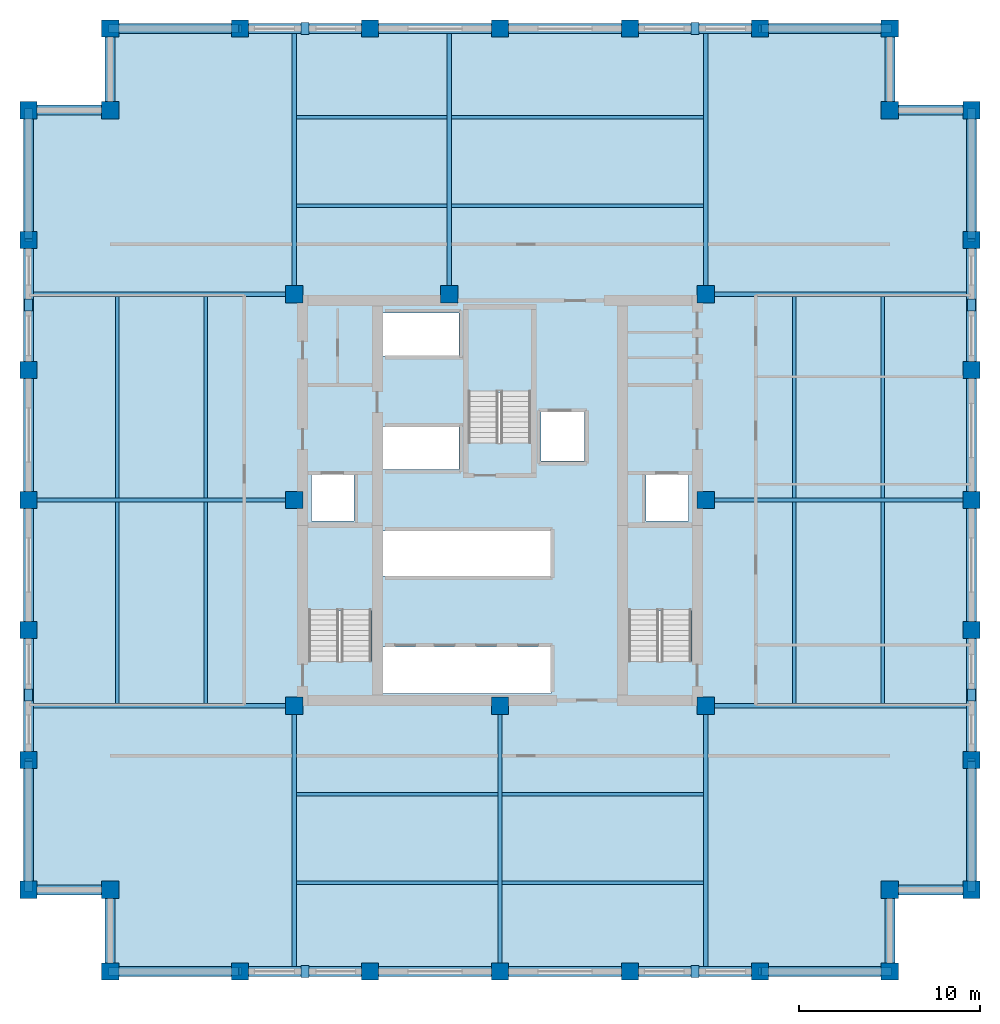
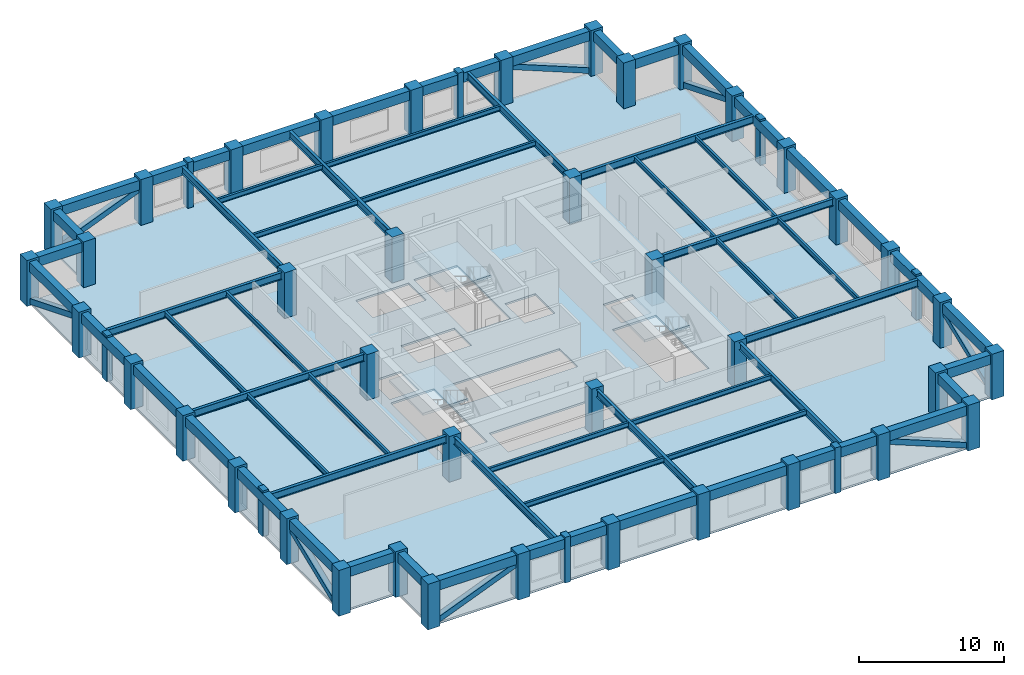
# One storey, part 1 of 6: 60 beams, 40 columns, 16 members, 4 slabs, 3 elements without a shape of their own.
"""IFC4 building model written with IfcOpenShell, lengths in metres."""

from ifc_helpers import new_model, si_unit, direction, frame, origin, origin_2d, place, context, subcontext, project, spatial, polyline, rectangle, hollow_rectangle, i_section, outline, extrude, material, layer, layer_set, material_profile, profile_set, type_object, element, aggregate, save


model = new_model("IFC4")

# Units and contexts
model_context = context("Model", 3, precision=1e-05, world=origin(), true_north=direction((0.0, 1.0)))
body_context = subcontext(model_context, "Body", "Model", "MODEL_VIEW")
ifc_project = project(units=[si_unit("LENGTHUNIT", "METRE"), si_unit("AREAUNIT", "SQUARE_METRE"), si_unit("VOLUMEUNIT", "CUBIC_METRE"), si_unit("PLANEANGLEUNIT", "RADIAN"), si_unit("MASSUNIT", "GRAM", prefix="KILO")], contexts=[model_context])

# Site, building, storey
site_placement = place(None, origin())
site = spatial("IfcSite", under=ifc_project, at=site_placement, CompositionType="ELEMENT")
building_placement = place(site_placement, origin())
building = spatial("IfcBuilding", under=site, at=building_placement, Name="Nhamokura Convention Tower", CompositionType="ELEMENT")
storey_placement = place(building_placement, frame((0.0, 0.0, 152.949951171875)))
storey = spatial("IfcBuildingStorey", under=building, at=storey_placement, Name="L37", CompositionType="ELEMENT", Elevation=152.949951171875)

# Columns
ifc_material_1 = material(Name="Concrete C60/75", Category="concrete")
ifc_material_profile_1 = material_profile(ifc_material_1, rectangle(XDim=0.949951171875, YDim=0.949951171875, at=origin_2d()))
ifc_profile_set_1 = profile_set([ifc_material_profile_1], Name="Concrete C60/75")
column_type = type_object("IfcColumnType", Name="TubeColumn_Z2_950", PredefinedType="COLUMN", material=ifc_profile_set_1)
for number, where, z_axis, x_axis, name in (
    (1, (20.64990234375, 20.64990234375, 0.0), (0.0, 0.0, 1.0), (1.0, 0.0, 0.0), "L37 Core Column CC-SW"),
    (2, (32.0, 20.64990234375, 0.0), (0.0, 0.0, 1.0), (1.0, 0.0, 0.0), "L37 Core Column CC-S"),
    (3, (43.35009765625, 20.64990234375, 0.0), (0.0, 0.0, 1.0), (1.0, 0.0, 0.0), "L37 Core Column CC-SE"),
    (4, (43.35009765625, 32.0, 0.0), (0.0, 0.0, 1.0), (1.0, 0.0, 0.0), "L37 Core Column CC-E"),
    (5, (43.35009765625, 43.35009765625, 0.0), (0.0, 0.0, 1.0), (1.0, 0.0, 0.0), "L37 Core Column CC-NE"),
    (6, (29.199951171875, 43.35009765625, 0.0), (0.0, 0.0, 1.0), (1.0, 0.0, 0.0), "L37 Core Column CC-N"),
    (7, (20.64990234375, 43.35009765625, 0.0), (0.0, 0.0, 1.0), (1.0, 0.0, 0.0), "L37 Core Column CC-NW"),
    (8, (20.64990234375, 32.0, 0.0), (0.0, 0.0, 1.0), (1.0, 0.0, 0.0), "L37 Core Column CC-W"),
    (9, (10.5, 6.0, 0.0), (0.0, 0.0, 1.0), (1.0, 0.0, 0.0), "L37 Perimeter Tube Column SW1"),
    (10, (10.5, 10.5, 0.0), (0.0, 0.0, 1.0), (1.0, 0.0, 0.0), "L37 Perimeter Tube Column SW0"),
    (11, (6.0, 10.5, 0.0), (0.0, 0.0, 1.0), (1.0, 0.0, 0.0), "L37 Perimeter Tube Column SW2"),
    (12, (53.5, 6.0, 0.0), (0.0, 0.0, 1.0), (1.0, 0.0, 0.0), "L37 Perimeter Tube Column SE1"),
    (13, (53.5, 10.5, 0.0), (0.0, 0.0, 1.0), (1.0, 0.0, 0.0), "L37 Perimeter Tube Column SE0"),
    (14, (58.0, 10.5, 0.0), (0.0, 0.0, 1.0), (1.0, 0.0, 0.0), "L37 Perimeter Tube Column SE2"),
    (15, (58.0, 53.5, 0.0), (0.0, 0.0, 1.0), (1.0, 0.0, 0.0), "L37 Perimeter Tube Column NE1"),
    (16, (53.5, 53.5, 0.0), (0.0, 0.0, 1.0), (1.0, 0.0, 0.0), "L37 Perimeter Tube Column NE0"),
    (17, (53.5, 58.0, 0.0), (0.0, 0.0, 1.0), (1.0, 0.0, 0.0), "L37 Perimeter Tube Column NE2"),
    (18, (10.5, 58.0, 0.0), (0.0, 0.0, 1.0), (1.0, 0.0, 0.0), "L37 Perimeter Tube Column NW1"),
    (19, (10.5, 53.5, 0.0), (0.0, 0.0, 1.0), (1.0, 0.0, 0.0), "L37 Perimeter Tube Column NW0"),
    (20, (6.0, 53.5, 0.0), (0.0, 0.0, 1.0), (1.0, 0.0, 0.0), "L37 Perimeter Tube Column NW2"),
    (21, (17.666748046875, 6.0, 0.0), (0.0, 0.0, 1.0), (1.0, 0.0, 0.0), "L37 Perimeter Tube Column S1"),
    (22, (17.666748046875, 58.0, 0.0), (0.0, 0.0, 1.0), (1.0, 0.0, 0.0), "L37 Perimeter Tube Column N1"),
    (23, (6.0, 17.666748046875, 0.0), (0.0, 0.0, 1.0), (1.0, 0.0, 0.0), "L37 Perimeter Tube Column W1"),
    (24, (58.0, 17.666748046875, 0.0), (0.0, 0.0, 1.0), (1.0, 0.0, 0.0), "L37 Perimeter Tube Column E1"),
    (25, (24.833251953125, 6.0, 0.0), (0.0, 0.0, 1.0), (1.0, 0.0, 0.0), "L37 Perimeter Tube Column S2"),
    (26, (24.833251953125, 58.0, 0.0), (0.0, 0.0, 1.0), (1.0, 0.0, 0.0), "L37 Perimeter Tube Column N2"),
    (27, (6.0, 24.833251953125, 0.0), (0.0, 0.0, 1.0), (1.0, 0.0, 0.0), "L37 Perimeter Tube Column W2"),
    (28, (58.0, 24.833251953125, 0.0), (0.0, 0.0, 1.0), (1.0, 0.0, 0.0), "L37 Perimeter Tube Column E2"),
    (29, (32.0, 6.0, 0.0), (0.0, 0.0, 1.0), (1.0, 0.0, 0.0), "L37 Perimeter Tube Column S3"),
    (30, (32.0, 58.0, 0.0), (0.0, 0.0, 1.0), (1.0, 0.0, 0.0), "L37 Perimeter Tube Column N3"),
    (31, (6.0, 32.0, 0.0), (0.0, 0.0, 1.0), (1.0, 0.0, 0.0), "L37 Perimeter Tube Column W3"),
    (32, (58.0, 32.0, 0.0), (0.0, 0.0, 1.0), (1.0, 0.0, 0.0), "L37 Perimeter Tube Column E3"),
    (33, (39.166748046875, 6.0, 0.0), (0.0, 0.0, 1.0), (1.0, 0.0, 0.0), "L37 Perimeter Tube Column S4"),
    (34, (39.166748046875, 58.0, 0.0), (0.0, 0.0, 1.0), (1.0, 0.0, 0.0), "L37 Perimeter Tube Column N4"),
    (35, (6.0, 39.166748046875, 0.0), (0.0, 0.0, 1.0), (1.0, 0.0, 0.0), "L37 Perimeter Tube Column W4"),
    (36, (58.0, 39.166748046875, 0.0), (0.0, 0.0, 1.0), (1.0, 0.0, 0.0), "L37 Perimeter Tube Column E4"),
    (37, (46.333251953125, 6.0, 0.0), (0.0, 0.0, 1.0), (1.0, 0.0, 0.0), "L37 Perimeter Tube Column S5"),
    (38, (46.333251953125, 58.0, 0.0), (0.0, 0.0, 1.0), (1.0, 0.0, 0.0), "L37 Perimeter Tube Column N5"),
    (39, (6.0, 46.333251953125, 0.0), (0.0, 0.0, 1.0), (1.0, 0.0, 0.0), "L37 Perimeter Tube Column W5"),
    (40, (58.0, 46.333251953125, 0.0), (0.0, 0.0, 1.0), (1.0, 0.0, 0.0), "L37 Perimeter Tube Column E5"),
):
    element("IfcColumn", number, at=place(storey_placement, frame(where, z_axis=z_axis, x_axis=x_axis)), inside=storey, type_object=column_type, Name=name, PredefinedType="COLUMN", context=body_context, shape_type="SweptSolid", body=[
        extrude(rectangle(XDim=0.949951171875, YDim=0.949951171875, at=origin_2d()), origin(), (0.0, 0.0, 1.0), 3.85009765625),
    ])

# Members
ifc_material_2 = material(Name="Bronze-pigmented precast concrete C45/55", Category="concrete")
ifc_material_profile_2 = material_profile(ifc_material_2, rectangle(XDim=0.449951171875, YDim=0.64990234375, at=origin_2d()))
ifc_profile_set_2 = profile_set([ifc_material_profile_2], Name="Bronze-pigmented precast concrete C45/55")
member_type_1 = type_object("IfcMemberType", Name="BronzePilaster_650", PredefinedType="USERDEFINED", material=ifc_profile_set_2)
for number, where, z_axis, x_axis, name in (
    (41, (21.25, 6.0, 0.0), (0.0, 0.0, 1.0), (1.0, 0.0, 0.0), "L37 Engaged Frame Pilaster SOUTH 1"),
    (42, (42.75, 6.0, 0.0), (0.0, 0.0, 1.0), (1.0, 0.0, 0.0), "L37 Engaged Frame Pilaster SOUTH 4"),
    (43, (21.25, 58.0, 0.0), (0.0, 0.0, 1.0), (1.0, 0.0, 0.0), "L37 Engaged Frame Pilaster NORTH 1"),
    (44, (42.75, 58.0, 0.0), (0.0, 0.0, 1.0), (1.0, 0.0, 0.0), "L37 Engaged Frame Pilaster NORTH 4"),
    (45, (6.0, 21.25, 0.0), (0.0, 0.0, 1.0), (1.0, 0.0, 0.0), "L37 Engaged Frame Pilaster WEST 1"),
    (46, (6.0, 42.75, 0.0), (0.0, 0.0, 1.0), (1.0, 0.0, 0.0), "L37 Engaged Frame Pilaster WEST 4"),
    (47, (58.0, 21.25, 0.0), (0.0, 0.0, 1.0), (1.0, 0.0, 0.0), "L37 Engaged Frame Pilaster EAST 1"),
    (48, (58.0, 42.75, 0.0), (0.0, 0.0, 1.0), (1.0, 0.0, 0.0), "L37 Engaged Frame Pilaster EAST 4"),
):
    element("IfcMember", number, at=place(storey_placement, frame(where, z_axis=z_axis, x_axis=x_axis)), inside=storey, type_object=member_type_1, Name=name, ObjectType="PILASTER_TRIM", PredefinedType="USERDEFINED", context=body_context, shape_type="SweptSolid", body=[
        extrude(rectangle(XDim=0.449951171875, YDim=0.64990234375, at=origin_2d()), origin(), (0.0, 0.0, 1.0), 3.85009765625),
    ])

# Beams
ifc_material_3 = material(Name="Steel ASTM A992 Gr 50", Category="steel")
ifc_material_profile_3 = material_profile(ifc_material_3, i_section(OverallWidth=0.177001953125, OverallDepth=0.403076171875, WebThickness=0.007568359375, FlangeThickness=0.010986328125, at=origin_2d()))
ifc_profile_set_3 = profile_set([ifc_material_profile_3], Name="Steel ASTM A992 Gr 50")
beam_type_1 = type_object("IfcBeamType", Name="FloorJoist_W410X53", PredefinedType="JOIST", material=ifc_profile_set_3)
for number, where, z_axis, x_axis, name in (
    (49, (20.761962890625, 10.88330078125, 3.483642578125), (1.0, 0.0, 0.0), (0.0, 1.0, 0.0), "L37 Composite Floor Joist S1A"),
    (50, (32.112060546875, 10.88330078125, 3.483642578125), (1.0, 0.0, 0.0), (0.0, 1.0, 0.0), "L37 Composite Floor Joist S1B"),
    (51, (20.761962890625, 15.7666015625, 3.483642578125), (1.0, 0.0, 0.0), (0.0, 1.0, 0.0), "L37 Composite Floor Joist S2A"),
    (52, (32.112060546875, 15.7666015625, 3.483642578125), (1.0, 0.0, 0.0), (0.0, 1.0, 0.0), "L37 Composite Floor Joist S2B"),
):
    element("IfcBeam", number, at=place(storey_placement, frame(where, z_axis=z_axis, x_axis=x_axis)), inside=storey, type_object=beam_type_1, Name=name, PredefinedType="JOIST", context=body_context, shape_type="SweptSolid", body=[
        extrude(i_section(OverallWidth=0.177001953125, OverallDepth=0.403076171875, WebThickness=0.007568359375, FlangeThickness=0.010986328125, at=origin_2d()), origin(), (0.0, 0.0, 1.0), 11.1259765625),
    ])
beam_1_placement = place(storey_placement, frame((20.761962890625, 48.2333984375, 3.483642578125), z_axis=(1.0, 0.0, 0.0), x_axis=(0.0, 1.0, 0.0)))
element("IfcBeam", 53, at=beam_1_placement, inside=storey, type_object=beam_type_1, Name="L37 Composite Floor Joist N1A", PredefinedType="JOIST", context=body_context, shape_type="SweptSolid", body=[
    extrude(i_section(OverallWidth=0.177001953125, OverallDepth=0.403076171875, WebThickness=0.007568359375, FlangeThickness=0.010986328125, at=origin_2d()), origin(), (0.0, 0.0, 1.0), 8.325927734375),
])
beam_2_placement = place(storey_placement, frame((29.31201171875, 48.2333984375, 3.483642578125), z_axis=(1.0, 0.0, 0.0), x_axis=(0.0, 1.0, 0.0)))
element("IfcBeam", 54, at=beam_2_placement, inside=storey, type_object=beam_type_1, Name="L37 Composite Floor Joist N1B", PredefinedType="JOIST", context=body_context, shape_type="SweptSolid", body=[
    extrude(i_section(OverallWidth=0.177001953125, OverallDepth=0.403076171875, WebThickness=0.007568359375, FlangeThickness=0.010986328125, at=origin_2d()), origin(), (0.0, 0.0, 1.0), 13.926025390625),
])
beam_3_placement = place(storey_placement, frame((20.761962890625, 53.11669921875, 3.483642578125), z_axis=(1.0, 0.0, 0.0), x_axis=(0.0, 1.0, 0.0)))
element("IfcBeam", 55, at=beam_3_placement, inside=storey, type_object=beam_type_1, Name="L37 Composite Floor Joist N2A", PredefinedType="JOIST", context=body_context, shape_type="SweptSolid", body=[
    extrude(i_section(OverallWidth=0.177001953125, OverallDepth=0.403076171875, WebThickness=0.007568359375, FlangeThickness=0.010986328125, at=origin_2d()), origin(), (0.0, 0.0, 1.0), 8.325927734375),
])
beam_4_placement = place(storey_placement, frame((29.31201171875, 53.11669921875, 3.483642578125), z_axis=(1.0, 0.0, 0.0), x_axis=(0.0, 1.0, 0.0)))
element("IfcBeam", 56, at=beam_4_placement, inside=storey, type_object=beam_type_1, Name="L37 Composite Floor Joist N2B", PredefinedType="JOIST", context=body_context, shape_type="SweptSolid", body=[
    extrude(i_section(OverallWidth=0.177001953125, OverallDepth=0.403076171875, WebThickness=0.007568359375, FlangeThickness=0.010986328125, at=origin_2d()), origin(), (0.0, 0.0, 1.0), 13.926025390625),
])
for number, where, z_axis, x_axis, name in (
    (57, (10.88330078125, 20.761962890625, 3.483642578125), (0.0, 1.0, 0.0), (-1.0, 0.0, 0.0), "L37 Composite Floor Joist W1A"),
    (58, (10.88330078125, 32.112060546875, 3.483642578125), (0.0, 1.0, 0.0), (-1.0, 0.0, 0.0), "L37 Composite Floor Joist W1B"),
    (59, (15.7666015625, 20.761962890625, 3.483642578125), (0.0, 1.0, 0.0), (-1.0, 0.0, 0.0), "L37 Composite Floor Joist W2A"),
    (60, (15.7666015625, 32.112060546875, 3.483642578125), (0.0, 1.0, 0.0), (-1.0, 0.0, 0.0), "L37 Composite Floor Joist W2B"),
    (61, (48.2333984375, 20.761962890625, 3.483642578125), (0.0, 1.0, 0.0), (-1.0, 0.0, 0.0), "L37 Composite Floor Joist E1A"),
    (62, (48.2333984375, 32.112060546875, 3.483642578125), (0.0, 1.0, 0.0), (-1.0, 0.0, 0.0), "L37 Composite Floor Joist E1B"),
    (63, (53.11669921875, 20.761962890625, 3.483642578125), (0.0, 1.0, 0.0), (-1.0, 0.0, 0.0), "L37 Composite Floor Joist E2A"),
    (64, (53.11669921875, 32.112060546875, 3.483642578125), (0.0, 1.0, 0.0), (-1.0, 0.0, 0.0), "L37 Composite Floor Joist E2B"),
):
    element("IfcBeam", number, at=place(storey_placement, frame(where, z_axis=z_axis, x_axis=x_axis)), inside=storey, type_object=beam_type_1, Name=name, PredefinedType="JOIST", context=body_context, shape_type="SweptSolid", body=[
        extrude(i_section(OverallWidth=0.177001953125, OverallDepth=0.403076171875, WebThickness=0.007568359375, FlangeThickness=0.010986328125, at=origin_2d()), origin(), (0.0, 0.0, 1.0), 11.1259765625),
    ])
ifc_material_4 = material(Name="Steel ASTM A992 Gr 50", Category="steel")
ifc_material_profile_4 = material_profile(ifc_material_4, i_section(OverallWidth=0.22802734375, OverallDepth=0.60791015625, WebThickness=0.01123046875, FlangeThickness=0.017333984375, at=origin_2d()))
ifc_profile_set_4 = profile_set([ifc_material_profile_4], Name="Steel ASTM A992 Gr 50")
beam_type_2 = type_object("IfcBeamType", Name="PrimaryGirder_W610X113", PredefinedType="BEAM", material=ifc_profile_set_4)
for number, where, z_axis, x_axis, name in (
    (65, (20.64990234375, 6.0, 3.381103515625), (0.0, 1.0, 0.0), (-1.0, 0.0, 0.0), "L37 Primary Floor Girder PG-S1"),
    (66, (32.0, 6.0, 3.381103515625), (0.0, 1.0, 0.0), (-1.0, 0.0, 0.0), "L37 Primary Floor Girder PG-S2"),
    (67, (43.35009765625, 6.0, 3.381103515625), (0.0, 1.0, 0.0), (-1.0, 0.0, 0.0), "L37 Primary Floor Girder PG-S3"),
    (68, (20.64990234375, 43.35009765625, 3.381103515625), (0.0, 1.0, 0.0), (-1.0, 0.0, 0.0), "L37 Primary Floor Girder PG-N1"),
    (69, (29.199951171875, 43.35009765625, 3.381103515625), (0.0, 1.0, 0.0), (-1.0, 0.0, 0.0), "L37 Primary Floor Girder PG-N2"),
    (70, (43.35009765625, 43.35009765625, 3.381103515625), (0.0, 1.0, 0.0), (-1.0, 0.0, 0.0), "L37 Primary Floor Girder PG-N3"),
    (71, (6.0, 20.64990234375, 3.381103515625), (1.0, 0.0, 0.0), (0.0, 1.0, 0.0), "L37 Primary Floor Girder PG-W1"),
    (72, (6.0, 32.0, 3.381103515625), (1.0, 0.0, 0.0), (0.0, 1.0, 0.0), "L37 Primary Floor Girder PG-W2"),
    (73, (6.0, 43.35009765625, 3.381103515625), (1.0, 0.0, 0.0), (0.0, 1.0, 0.0), "L37 Primary Floor Girder PG-W3"),
    (74, (43.35009765625, 20.64990234375, 3.381103515625), (1.0, 0.0, 0.0), (0.0, 1.0, 0.0), "L37 Primary Floor Girder PG-E1"),
    (75, (43.35009765625, 32.0, 3.381103515625), (1.0, 0.0, 0.0), (0.0, 1.0, 0.0), "L37 Primary Floor Girder PG-E2"),
    (76, (43.35009765625, 43.35009765625, 3.381103515625), (1.0, 0.0, 0.0), (0.0, 1.0, 0.0), "L37 Primary Floor Girder PG-E3"),
):
    element("IfcBeam", number, at=place(storey_placement, frame(where, z_axis=z_axis, x_axis=x_axis)), inside=storey, type_object=beam_type_2, Name=name, PredefinedType="BEAM", context=body_context, shape_type="SweptSolid", body=[
        extrude(i_section(OverallWidth=0.22802734375, OverallDepth=0.60791015625, WebThickness=0.01123046875, FlangeThickness=0.017333984375, at=origin_2d()), origin(), (0.0, 0.0, 1.0), 14.64990234375),
    ])

# Members
ifc_material_5 = material(Name="Steel ASTM A572 Gr 50", Category="steel")
ifc_material_profile_5 = material_profile(ifc_material_5, hollow_rectangle(XDim=0.449951171875, YDim=0.449951171875, WallThickness=0.02197265625, at=origin_2d()))
ifc_profile_set_5 = profile_set([ifc_material_profile_5], Name="Steel ASTM A572 Gr 50")
member_type_2 = type_object("IfcMemberType", Name="TubeBrace_HSS450", PredefinedType="BRACE", material=ifc_profile_set_5)
for number, where, z_axis, x_axis, name in (
    (77, (10.5, 6.0, 0.150146484375), (0.927657166893, 0.0, 0.373432966826), (0.0, 1.0, 0.0), "L37 Perimeter Tube Brace SOUTH Bay 0"),
    (78, (53.5, 6.0, 0.150146484375), (-0.927657166893, 0.0, 0.373432966826), (0.0, -1.0, 0.0), "L37 Perimeter Tube Brace SOUTH Bay 5"),
    (79, (10.5, 58.0, 0.150146484375), (0.927657166893, 0.0, 0.373432966826), (0.0, 1.0, 0.0), "L37 Perimeter Tube Brace NORTH Bay 0"),
    (80, (53.5, 58.0, 0.150146484375), (-0.927657166893, 0.0, 0.373432966826), (0.0, -1.0, 0.0), "L37 Perimeter Tube Brace NORTH Bay 5"),
    (81, (6.0, 10.5, 0.150146484375), (0.0, 0.927657166893, 0.373432966826), (-1.0, 0.0, 0.0), "L37 Perimeter Tube Brace WEST Bay 0"),
    (82, (6.0, 53.5, 0.150146484375), (0.0, -0.927657166893, 0.373432966826), (1.0, 0.0, 0.0), "L37 Perimeter Tube Brace WEST Bay 5"),
    (83, (58.0, 10.5, 0.150146484375), (0.0, 0.927657166893, 0.373432966826), (-1.0, 0.0, 0.0), "L37 Perimeter Tube Brace EAST Bay 0"),
    (84, (58.0, 53.5, 0.150146484375), (0.0, -0.927657166893, 0.373432966826), (1.0, 0.0, 0.0), "L37 Perimeter Tube Brace EAST Bay 5"),
):
    element("IfcMember", number, at=place(storey_placement, frame(where, z_axis=z_axis, x_axis=x_axis)), inside=storey, type_object=member_type_2, Name=name, PredefinedType="BRACE", context=body_context, shape_type="SweptSolid", body=[
        extrude(hollow_rectangle(XDim=0.449951171875, YDim=0.449951171875, WallThickness=0.02197265625, at=origin_2d()), origin(), (0.0, 0.0, 1.0), 7.7255859375),
    ])

# Beams
ifc_material_6 = material(Name="Concrete C50/60", Category="concrete")
ifc_material_profile_6 = material_profile(ifc_material_6, rectangle(XDim=0.550048828125, YDim=0.800048828125, at=origin_2d()))
ifc_profile_set_6 = profile_set([ifc_material_profile_6], Name="Concrete C50/60")
beam_type_3 = type_object("IfcBeamType", Name="TubeSpandrel_800", PredefinedType="SPANDREL", material=ifc_profile_set_6)
beam_5_placement = place(storey_placement, frame((10.5, 6.0, 3.28515625), z_axis=(1.0, 0.0, 0.0), x_axis=(0.0, 1.0, 0.0)))
element("IfcBeam", 85, at=beam_5_placement, inside=storey, type_object=beam_type_3, Name="L37 Perimeter Spandrel SOUTH 1", PredefinedType="SPANDREL", context=body_context, shape_type="SweptSolid", body=[
    extrude(rectangle(XDim=0.550048828125, YDim=0.800048828125, at=origin_2d()), origin(), (0.0, 0.0, 1.0), 7.166748046875),
])
beam_6_placement = place(storey_placement, frame((17.666748046875, 6.0, 3.28515625), z_axis=(1.0, 0.0, 0.0), x_axis=(0.0, 1.0, 0.0)))
element("IfcBeam", 86, at=beam_6_placement, inside=storey, type_object=beam_type_3, Name="L37 Perimeter Spandrel SOUTH 2", PredefinedType="SPANDREL", context=body_context, shape_type="SweptSolid", body=[
    extrude(rectangle(XDim=0.550048828125, YDim=0.800048828125, at=origin_2d()), origin(), (0.0, 0.0, 1.0), 7.16650390625),
])
for number, where, z_axis, x_axis, name in (
    (87, (24.833251953125, 6.0, 3.28515625), (1.0, 0.0, 0.0), (0.0, 1.0, 0.0), "L37 Perimeter Spandrel SOUTH 3"),
    (88, (32.0, 6.0, 3.28515625), (1.0, 0.0, 0.0), (0.0, 1.0, 0.0), "L37 Perimeter Spandrel SOUTH 4"),
):
    element("IfcBeam", number, at=place(storey_placement, frame(where, z_axis=z_axis, x_axis=x_axis)), inside=storey, type_object=beam_type_3, Name=name, PredefinedType="SPANDREL", context=body_context, shape_type="SweptSolid", body=[
        extrude(rectangle(XDim=0.550048828125, YDim=0.800048828125, at=origin_2d()), origin(), (0.0, 0.0, 1.0), 7.166748046875),
    ])
beam_7_placement = place(storey_placement, frame((39.166748046875, 6.0, 3.28515625), z_axis=(1.0, 0.0, 0.0), x_axis=(0.0, 1.0, 0.0)))
element("IfcBeam", 89, at=beam_7_placement, inside=storey, type_object=beam_type_3, Name="L37 Perimeter Spandrel SOUTH 5", PredefinedType="SPANDREL", context=body_context, shape_type="SweptSolid", body=[
    extrude(rectangle(XDim=0.550048828125, YDim=0.800048828125, at=origin_2d()), origin(), (0.0, 0.0, 1.0), 7.16650390625),
])
for number, where, z_axis, x_axis, name in (
    (90, (46.333251953125, 6.0, 3.28515625), (1.0, 0.0, 0.0), (0.0, 1.0, 0.0), "L37 Perimeter Spandrel SOUTH 6"),
    (91, (10.5, 58.0, 3.28515625), (1.0, 0.0, 0.0), (0.0, 1.0, 0.0), "L37 Perimeter Spandrel NORTH 1"),
):
    element("IfcBeam", number, at=place(storey_placement, frame(where, z_axis=z_axis, x_axis=x_axis)), inside=storey, type_object=beam_type_3, Name=name, PredefinedType="SPANDREL", context=body_context, shape_type="SweptSolid", body=[
        extrude(rectangle(XDim=0.550048828125, YDim=0.800048828125, at=origin_2d()), origin(), (0.0, 0.0, 1.0), 7.166748046875),
    ])
beam_8_placement = place(storey_placement, frame((17.666748046875, 58.0, 3.28515625), z_axis=(1.0, 0.0, 0.0), x_axis=(0.0, 1.0, 0.0)))
element("IfcBeam", 92, at=beam_8_placement, inside=storey, type_object=beam_type_3, Name="L37 Perimeter Spandrel NORTH 2", PredefinedType="SPANDREL", context=body_context, shape_type="SweptSolid", body=[
    extrude(rectangle(XDim=0.550048828125, YDim=0.800048828125, at=origin_2d()), origin(), (0.0, 0.0, 1.0), 7.16650390625),
])
for number, where, z_axis, x_axis, name in (
    (93, (24.833251953125, 58.0, 3.28515625), (1.0, 0.0, 0.0), (0.0, 1.0, 0.0), "L37 Perimeter Spandrel NORTH 3"),
    (94, (32.0, 58.0, 3.28515625), (1.0, 0.0, 0.0), (0.0, 1.0, 0.0), "L37 Perimeter Spandrel NORTH 4"),
):
    element("IfcBeam", number, at=place(storey_placement, frame(where, z_axis=z_axis, x_axis=x_axis)), inside=storey, type_object=beam_type_3, Name=name, PredefinedType="SPANDREL", context=body_context, shape_type="SweptSolid", body=[
        extrude(rectangle(XDim=0.550048828125, YDim=0.800048828125, at=origin_2d()), origin(), (0.0, 0.0, 1.0), 7.166748046875),
    ])
beam_9_placement = place(storey_placement, frame((39.166748046875, 58.0, 3.28515625), z_axis=(1.0, 0.0, 0.0), x_axis=(0.0, 1.0, 0.0)))
element("IfcBeam", 95, at=beam_9_placement, inside=storey, type_object=beam_type_3, Name="L37 Perimeter Spandrel NORTH 5", PredefinedType="SPANDREL", context=body_context, shape_type="SweptSolid", body=[
    extrude(rectangle(XDim=0.550048828125, YDim=0.800048828125, at=origin_2d()), origin(), (0.0, 0.0, 1.0), 7.16650390625),
])
for number, where, z_axis, x_axis, name in (
    (96, (46.333251953125, 58.0, 3.28515625), (1.0, 0.0, 0.0), (0.0, 1.0, 0.0), "L37 Perimeter Spandrel NORTH 6"),
    (97, (6.0, 10.5, 3.28515625), (0.0, 1.0, 0.0), (-1.0, 0.0, 0.0), "L37 Perimeter Spandrel WEST 1"),
):
    element("IfcBeam", number, at=place(storey_placement, frame(where, z_axis=z_axis, x_axis=x_axis)), inside=storey, type_object=beam_type_3, Name=name, PredefinedType="SPANDREL", context=body_context, shape_type="SweptSolid", body=[
        extrude(rectangle(XDim=0.550048828125, YDim=0.800048828125, at=origin_2d()), origin(), (0.0, 0.0, 1.0), 7.166748046875),
    ])
beam_10_placement = place(storey_placement, frame((6.0, 17.666748046875, 3.28515625), z_axis=(0.0, 1.0, 0.0), x_axis=(-1.0, 0.0, 0.0)))
element("IfcBeam", 98, at=beam_10_placement, inside=storey, type_object=beam_type_3, Name="L37 Perimeter Spandrel WEST 2", PredefinedType="SPANDREL", context=body_context, shape_type="SweptSolid", body=[
    extrude(rectangle(XDim=0.550048828125, YDim=0.800048828125, at=origin_2d()), origin(), (0.0, 0.0, 1.0), 7.16650390625),
])
for number, where, z_axis, x_axis, name in (
    (99, (6.0, 24.833251953125, 3.28515625), (0.0, 1.0, 0.0), (-1.0, 0.0, 0.0), "L37 Perimeter Spandrel WEST 3"),
    (100, (6.0, 32.0, 3.28515625), (0.0, 1.0, 0.0), (-1.0, 0.0, 0.0), "L37 Perimeter Spandrel WEST 4"),
):
    element("IfcBeam", number, at=place(storey_placement, frame(where, z_axis=z_axis, x_axis=x_axis)), inside=storey, type_object=beam_type_3, Name=name, PredefinedType="SPANDREL", context=body_context, shape_type="SweptSolid", body=[
        extrude(rectangle(XDim=0.550048828125, YDim=0.800048828125, at=origin_2d()), origin(), (0.0, 0.0, 1.0), 7.166748046875),
    ])
beam_11_placement = place(storey_placement, frame((6.0, 39.166748046875, 3.28515625), z_axis=(0.0, 1.0, 0.0), x_axis=(-1.0, 0.0, 0.0)))
element("IfcBeam", 101, at=beam_11_placement, inside=storey, type_object=beam_type_3, Name="L37 Perimeter Spandrel WEST 5", PredefinedType="SPANDREL", context=body_context, shape_type="SweptSolid", body=[
    extrude(rectangle(XDim=0.550048828125, YDim=0.800048828125, at=origin_2d()), origin(), (0.0, 0.0, 1.0), 7.16650390625),
])
for number, where, z_axis, x_axis, name in (
    (102, (6.0, 46.333251953125, 3.28515625), (0.0, 1.0, 0.0), (-1.0, 0.0, 0.0), "L37 Perimeter Spandrel WEST 6"),
    (103, (58.0, 10.5, 3.28515625), (0.0, 1.0, 0.0), (-1.0, 0.0, 0.0), "L37 Perimeter Spandrel EAST 1"),
):
    element("IfcBeam", number, at=place(storey_placement, frame(where, z_axis=z_axis, x_axis=x_axis)), inside=storey, type_object=beam_type_3, Name=name, PredefinedType="SPANDREL", context=body_context, shape_type="SweptSolid", body=[
        extrude(rectangle(XDim=0.550048828125, YDim=0.800048828125, at=origin_2d()), origin(), (0.0, 0.0, 1.0), 7.166748046875),
    ])
beam_12_placement = place(storey_placement, frame((58.0, 17.666748046875, 3.28515625), z_axis=(0.0, 1.0, 0.0), x_axis=(-1.0, 0.0, 0.0)))
element("IfcBeam", 104, at=beam_12_placement, inside=storey, type_object=beam_type_3, Name="L37 Perimeter Spandrel EAST 2", PredefinedType="SPANDREL", context=body_context, shape_type="SweptSolid", body=[
    extrude(rectangle(XDim=0.550048828125, YDim=0.800048828125, at=origin_2d()), origin(), (0.0, 0.0, 1.0), 7.16650390625),
])
for number, where, z_axis, x_axis, name in (
    (105, (58.0, 24.833251953125, 3.28515625), (0.0, 1.0, 0.0), (-1.0, 0.0, 0.0), "L37 Perimeter Spandrel EAST 3"),
    (106, (58.0, 32.0, 3.28515625), (0.0, 1.0, 0.0), (-1.0, 0.0, 0.0), "L37 Perimeter Spandrel EAST 4"),
):
    element("IfcBeam", number, at=place(storey_placement, frame(where, z_axis=z_axis, x_axis=x_axis)), inside=storey, type_object=beam_type_3, Name=name, PredefinedType="SPANDREL", context=body_context, shape_type="SweptSolid", body=[
        extrude(rectangle(XDim=0.550048828125, YDim=0.800048828125, at=origin_2d()), origin(), (0.0, 0.0, 1.0), 7.166748046875),
    ])
beam_13_placement = place(storey_placement, frame((58.0, 39.166748046875, 3.28515625), z_axis=(0.0, 1.0, 0.0), x_axis=(-1.0, 0.0, 0.0)))
element("IfcBeam", 107, at=beam_13_placement, inside=storey, type_object=beam_type_3, Name="L37 Perimeter Spandrel EAST 5", PredefinedType="SPANDREL", context=body_context, shape_type="SweptSolid", body=[
    extrude(rectangle(XDim=0.550048828125, YDim=0.800048828125, at=origin_2d()), origin(), (0.0, 0.0, 1.0), 7.16650390625),
])
beam_14_placement = place(storey_placement, frame((58.0, 46.333251953125, 3.28515625), z_axis=(0.0, 1.0, 0.0), x_axis=(-1.0, 0.0, 0.0)))
element("IfcBeam", 108, at=beam_14_placement, inside=storey, type_object=beam_type_3, Name="L37 Perimeter Spandrel EAST 6", PredefinedType="SPANDREL", context=body_context, shape_type="SweptSolid", body=[
    extrude(rectangle(XDim=0.550048828125, YDim=0.800048828125, at=origin_2d()), origin(), (0.0, 0.0, 1.0), 7.166748046875),
])
for number, where, z_axis, x_axis, name in (
    (109, (10.5, 6.0, 3.28515625), (0.0, 1.0, 0.0), (-1.0, 0.0, 0.0), "L37 Notch Spandrel SW1"),
    (110, (10.5, 10.5, 3.28515625), (-1.0, 0.0, 0.0), (0.0, -1.0, 0.0), "L37 Notch Spandrel SW2"),
    (111, (53.5, 6.0, 3.28515625), (0.0, 1.0, 0.0), (-1.0, 0.0, 0.0), "L37 Notch Spandrel SE1"),
    (112, (53.5, 10.5, 3.28515625), (1.0, 0.0, 0.0), (0.0, 1.0, 0.0), "L37 Notch Spandrel SE2"),
    (113, (58.0, 53.5, 3.28515625), (-1.0, 0.0, 0.0), (0.0, -1.0, 0.0), "L37 Notch Spandrel NE1"),
    (114, (53.5, 53.5, 3.28515625), (0.0, 1.0, 0.0), (-1.0, 0.0, 0.0), "L37 Notch Spandrel NE2"),
    (115, (10.5, 58.0, 3.28515625), (0.0, -1.0, 0.0), (1.0, 0.0, 0.0), "L37 Notch Spandrel NW1"),
    (116, (10.5, 53.5, 3.28515625), (-1.0, 0.0, 0.0), (0.0, -1.0, 0.0), "L37 Notch Spandrel NW2"),
):
    element("IfcBeam", number, at=place(storey_placement, frame(where, z_axis=z_axis, x_axis=x_axis)), inside=storey, type_object=beam_type_3, Name=name, PredefinedType="SPANDREL", context=body_context, shape_type="SweptSolid", body=[
        extrude(rectangle(XDim=0.550048828125, YDim=0.800048828125, at=origin_2d()), origin(), (0.0, 0.0, 1.0), 4.5),
    ])

# Slab
ifc_material_7 = material(Name="Concrete C40/50", Category="concrete")
ifc_layer_1 = layer(ifc_material_7, 0.1650390625)
ifc_layer_set_1 = layer_set([ifc_layer_1], Name="OfficeFloorSlab_165")
slab_type_1 = type_object("IfcSlabType", Name="OfficeFloorSlab_165", PredefinedType="FLOOR", material=ifc_layer_set_1)
slab_1_placement = place(storey_placement, frame((0.0, 0.0, -0.1650390625)))
element("IfcSlab", 117, at=slab_1_placement, inside=storey, type_object=slab_type_1, Name="L37 Structural Floor Slab", PredefinedType="FLOOR", context=body_context, shape_type="SweptSolid", body=[
    extrude(outline(polyline([(10.5, 6.0), (53.5, 6.0), (53.5, 10.5), (58.0, 10.5), (58.0, 53.5), (53.5, 53.5), (53.5, 58.0), (10.5, 58.0), (10.5, 53.5), (6.0, 53.5), (6.0, 10.5), (10.5, 10.5), (10.5, 6.0)]), holes=[polyline([(24.89990234375, 23.10009765625), (24.89990234375, 30.449951171875), (21.449951171875, 30.449951171875), (21.449951171875, 23.10009765625), (24.89990234375, 23.10009765625)]), polyline([(42.550048828125, 23.10009765625), (42.550048828125, 30.449951171875), (39.10009765625, 30.449951171875), (39.10009765625, 23.10009765625), (42.550048828125, 23.10009765625)]), polyline([(33.699951171875, 35.14990234375), (33.699951171875, 42.5), (30.25, 42.5), (30.25, 35.14990234375), (33.699951171875, 35.14990234375)]), polyline([(21.60009765625, 30.85009765625), (23.949951171875, 30.85009765625), (23.949951171875, 33.39990234375), (21.60009765625, 33.39990234375), (21.60009765625, 30.85009765625)]), polyline([(40.050048828125, 30.85009765625), (42.39990234375, 30.85009765625), (42.39990234375, 33.39990234375), (40.050048828125, 33.39990234375), (40.050048828125, 30.85009765625)]), polyline([(34.25, 34.14990234375), (36.64990234375, 34.14990234375), (36.64990234375, 36.85009765625), (34.25, 36.85009765625), (34.25, 34.14990234375)]), polyline([(25.52001953125, 21.320068359375), (34.800048828125, 21.320068359375), (34.800048828125, 23.89990234375), (25.52001953125, 23.89990234375), (25.52001953125, 21.320068359375)]), polyline([(25.52001953125, 27.800048828125), (34.800048828125, 27.800048828125), (34.800048828125, 30.300048828125), (25.52001953125, 30.300048828125), (25.52001953125, 27.800048828125)]), polyline([(25.52001953125, 33.679931640625), (29.75, 33.679931640625), (29.75, 36.050048828125), (25.52001953125, 36.050048828125), (25.52001953125, 33.679931640625)]), polyline([(25.52001953125, 39.949951171875), (29.75, 39.949951171875), (29.75, 42.320068359375), (25.52001953125, 42.320068359375), (25.52001953125, 39.949951171875)])]), origin(), (0.0, 0.0, 1.0), 0.1650390625),
])

# Stair, slab
ifc_material_8 = material(Name="Concrete C40/50", Category="concrete")
stair_type = type_object("IfcStairType", Name="TowerCoreStair_1650", PredefinedType="HALF_TURN_STAIR", material=ifc_material_8)
stair_1_placement = place(storey_placement, origin())
stair_1 = element("IfcStair", 118, at=stair_1_placement, inside=storey, type_object=stair_type, Name="L37 West Core Smokeproof Stair ST-01", PredefinedType="HALF_TURN_STAIR")
ifc_material_9 = material(Name="Concrete C40/50", Category="concrete")
ifc_layer_2 = layer(ifc_material_9, 0.199951171875)
ifc_layer_set_2 = layer_set([ifc_layer_2], Name="StairLandingSlab_200")
slab_type_2 = type_object("IfcSlabType", Name="StairLandingSlab_200", PredefinedType="LANDING", material=ifc_layer_set_2)
slab_2_placement = place(storey_placement, frame((0.0, 0.0, 1.72509765625)))
slab_2 = element("IfcSlab", 119, at=slab_2_placement, type_object=slab_type_2, Name="ST-01 landing 1", PredefinedType="LANDING", context=body_context, shape_type="SweptSolid", body=[
    extrude(outline(polyline([(24.97998046875, 25.8701171875), (24.97998046875, 30.530029296875), (21.3701171875, 30.530029296875), (21.3701171875, 25.8701171875), (24.97998046875, 25.8701171875)])), origin(), (0.0, 0.0, 1.0), 0.199951171875),
])
aggregate(stair_1, [slab_2])

stair_2_placement = place(storey_placement, origin())
stair_2 = element("IfcStair", 120, at=stair_2_placement, inside=storey, type_object=stair_type, Name="L37 East Core Smokeproof Stair ST-02", PredefinedType="HALF_TURN_STAIR")
slab_3_placement = place(storey_placement, frame((0.0, 0.0, 1.72509765625)))
slab_3 = element("IfcSlab", 121, at=slab_3_placement, type_object=slab_type_2, Name="ST-02 landing 1", PredefinedType="LANDING", context=body_context, shape_type="SweptSolid", body=[
    extrude(outline(polyline([(42.6298828125, 25.8701171875), (42.6298828125, 30.530029296875), (39.02001953125, 30.530029296875), (39.02001953125, 25.8701171875), (42.6298828125, 25.8701171875)])), origin(), (0.0, 0.0, 1.0), 0.199951171875),
])
aggregate(stair_2, [slab_3])

stair_3_placement = place(storey_placement, origin())
stair_3 = element("IfcStair", 122, at=stair_3_placement, inside=storey, type_object=stair_type, Name="L37 North Core Smokeproof Stair ST-03", PredefinedType="HALF_TURN_STAIR")
slab_4_placement = place(storey_placement, frame((0.0, 0.0, 1.72509765625)))
slab_4 = element("IfcSlab", 123, at=slab_4_placement, type_object=slab_type_2, Name="ST-03 landing 1", PredefinedType="LANDING", context=body_context, shape_type="SweptSolid", body=[
    extrude(outline(polyline([(33.780029296875, 37.919921875), (33.780029296875, 42.580078125), (30.169921875, 42.580078125), (30.169921875, 37.919921875), (33.780029296875, 37.919921875)])), origin(), (0.0, 0.0, 1.0), 0.199951171875),
])
aggregate(stair_3, [slab_4])

save(model, "model.ifc")
